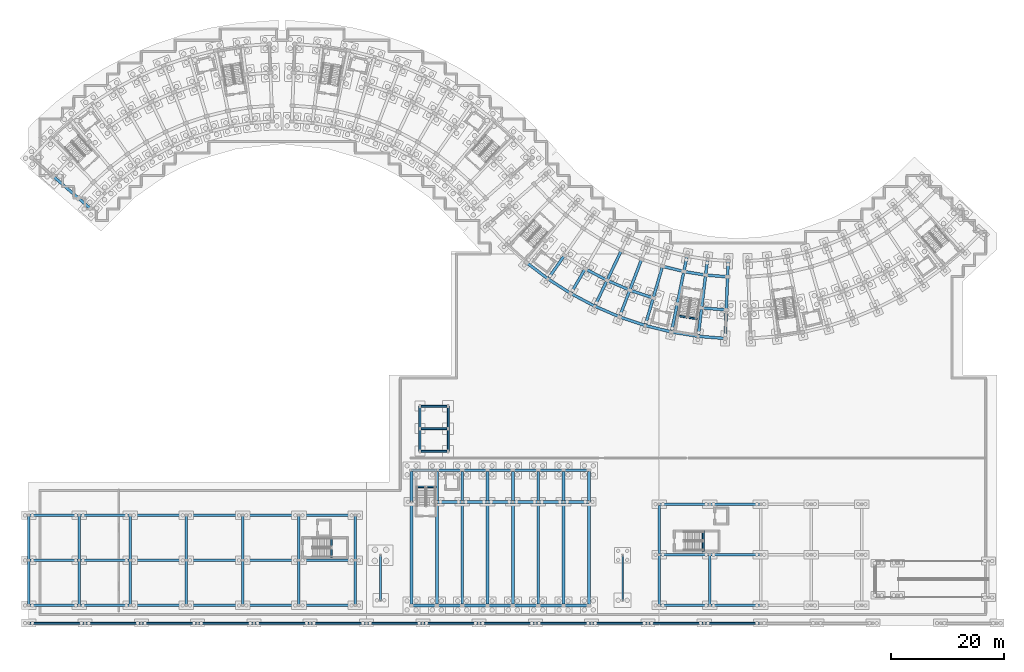
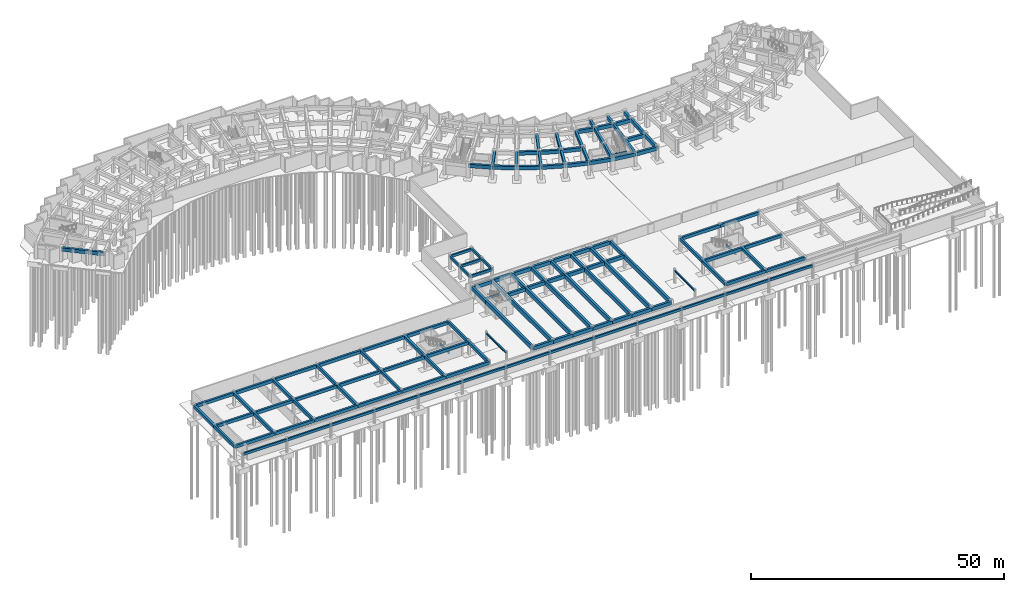
# One storey, part 11 of 32: 137 beams.
"""IFC4 building model written with IfcOpenShell, lengths in metres."""

from ifc_helpers import new_model, si_unit, direction, frame, origin, origin_2d, place, context, subcontext, project, spatial, rectangle, i_section, extrude, material, material_profile, profile_set, type_object, element, save


model = new_model("IFC4")

# Units and contexts
model_context = context("Model", 3, precision=1e-05, world=origin(), true_north=direction((0.0, 1.0)))
body_context = subcontext(model_context, "Body", "Model", "MODEL_VIEW")
ifc_project = project(units=[si_unit("LENGTHUNIT", "METRE"), si_unit("AREAUNIT", "SQUARE_METRE"), si_unit("VOLUMEUNIT", "CUBIC_METRE"), si_unit("PLANEANGLEUNIT", "RADIAN"), si_unit("MASSUNIT", "GRAM", prefix="KILO")], contexts=[model_context])

# Site, building, storey
site_placement = place(None, origin())
site = spatial("IfcSite", under=ifc_project, at=site_placement, CompositionType="ELEMENT")
building_placement = place(site_placement, origin())
building = spatial("IfcBuilding", under=site, at=building_placement, Name="Zimvara Arc Housing Community", CompositionType="ELEMENT")
storey_placement = place(building_placement, frame((0.0, 0.0, -3.60009765625)))
storey = spatial("IfcBuildingStorey", under=building, at=storey_placement, Name="B1", CompositionType="ELEMENT", Elevation=-3.60009765625)

# Beams
ifc_material_1 = material(Name="Concrete C40/50", Category="concrete")
ifc_material_profile_1 = material_profile(ifc_material_1, rectangle(XDim=0.300048828125, YDim=0.5, at=origin_2d()), Name="RC 300x500")
ifc_profile_set_1 = profile_set([ifc_material_profile_1], Name="Concrete C40/50")
beam_type_1 = type_object("IfcBeamType", Name="BM-RC-300x500", PredefinedType="BEAM", material=ifc_profile_set_1)
for number, where, z_axis, x_axis, name in (
    (1, (115.27587890625, 55.05712890625, 1.550048828125), (0.987080057935, -0.160227835371, 0.0), (0.160227835371, 0.987080057935, 0.0), "bm:stair_trim:ST-C2:B1:mid"),
    (2, (72.364990234375, 24.639892578125, 1.550048828125), (-1.0, 0.0, 0.0), (0.0, -1.0, 0.0), "bm:stair_trim:ST-H1:B1:mid"),
    (3, (119.81201171875, 13.2548828125, 1.550048828125), (0.0, 1.0, 0.0), (-1.0, 0.0, 0.0), "bm:stair_trim:ST-N1:B1:mid"),
    (4, (53.7900390625, 12.054931640625, 1.550048828125), (0.0, 1.0, 0.0), (-1.0, 0.0, 0.0), "bm:stair_trim:ST-S1:B1:mid"),
):
    element("IfcBeam", number, at=place(storey_placement, frame(where, z_axis=z_axis, x_axis=x_axis)), inside=storey, type_object=beam_type_1, Name=name, PredefinedType="BEAM", context=body_context, shape_type="SweptSolid", body=[
        extrude(rectangle(XDim=0.300048828125, YDim=0.5, at=origin_2d()), origin(), (0.0, 0.0, 1.0), 3.570068359375),
    ])
ifc_material_2 = material(Name="Concrete C40/50", Category="concrete")
ifc_material_profile_2 = material_profile(ifc_material_2, rectangle(XDim=0.35009765625, YDim=0.60009765625, at=origin_2d()), Name="RC 350x600")
ifc_profile_set_2 = profile_set([ifc_material_profile_2], Name="Concrete C40/50")
beam_type_2 = type_object("IfcBeamType", Name="BM-RC-350x600", PredefinedType="BEAM", material=ifc_profile_set_2)
for number, where, z_axis, x_axis, name in (
    (5, (0.0, 0.449951171875, 3.0), (1.0, 0.0, 0.0), (0.0, 1.0, 0.0), "bm:colonnade:B1:s1:0"),
    (6, (10.0, 0.449951171875, 3.0), (1.0, 0.0, 0.0), (0.0, 1.0, 0.0), "bm:colonnade:B1:s1:10"),
    (7, (20.0, 0.449951171875, 3.0), (1.0, 0.0, 0.0), (0.0, 1.0, 0.0), "bm:colonnade:B1:s1:20"),
    (8, (30.0, 0.449951171875, 3.0), (1.0, 0.0, 0.0), (0.0, 1.0, 0.0), "bm:colonnade:B1:s1:30"),
    (9, (40.0, 0.449951171875, 3.0), (1.0, 0.0, 0.0), (0.0, 1.0, 0.0), "bm:colonnade:B1:s1:40"),
    (10, (50.0, 0.449951171875, 3.0), (1.0, 0.0, 0.0), (0.0, 1.0, 0.0), "bm:colonnade:B1:s1:50"),
    (11, (60.0, 0.449951171875, 3.0), (1.0, 0.0, 0.0), (0.0, 1.0, 0.0), "bm:colonnade:B1:s1:60"),
    (12, (70.0, 0.449951171875, 3.0), (1.0, 0.0, 0.0), (0.0, 1.0, 0.0), "bm:colonnade:B1:s1:70"),
    (13, (80.0, 0.449951171875, 3.0), (1.0, 0.0, 0.0), (0.0, 1.0, 0.0), "bm:colonnade:B1:s1:80"),
    (14, (90.0, 0.449951171875, 3.0), (1.0, 0.0, 0.0), (0.0, 1.0, 0.0), "bm:colonnade:B1:s1:90"),
    (15, (100.0, 0.449951171875, 3.0), (1.0, 0.0, 0.0), (0.0, 1.0, 0.0), "bm:colonnade:B1:s1:100"),
    (16, (110.0, 0.449951171875, 3.0), (1.0, 0.0, 0.0), (0.0, 1.0, 0.0), "bm:colonnade:B1:s1:110"),
    (17, (120.0, 0.449951171875, 3.0), (1.0, 0.0, 0.0), (0.0, 1.0, 0.0), "bm:colonnade:B1:s1:120"),
):
    element("IfcBeam", number, at=place(storey_placement, frame(where, z_axis=z_axis, x_axis=x_axis)), inside=storey, type_object=beam_type_2, Name=name, PredefinedType="BEAM", context=body_context, shape_type="SweptSolid", body=[
        extrude(rectangle(XDim=0.35009765625, YDim=0.60009765625, at=origin_2d()), origin(), (0.0, 0.0, 1.0), 10.0),
    ])
for number, where, z_axis, x_axis, name in (
    (18, (69.5, 31.0, 3.0), (1.0, 0.0, 0.0), (0.0, 1.0, 0.0), "bm:lintel:B1:1"),
    (19, (69.5, 35.0, 3.0), (1.0, 0.0, 0.0), (0.0, 1.0, 0.0), "bm:lintel:B1:2"),
    (20, (69.5, 39.0, 3.0), (1.0, 0.0, 0.0), (0.0, 1.0, 0.0), "bm:lintel:B1:3"),
):
    element("IfcBeam", number, at=place(storey_placement, frame(where, z_axis=z_axis, x_axis=x_axis)), inside=storey, type_object=beam_type_2, Name=name, PredefinedType="BEAM", context=body_context, shape_type="SweptSolid", body=[
        extrude(rectangle(XDim=0.35009765625, YDim=0.60009765625, at=origin_2d()), origin(), (0.0, 0.0, 1.0), 5.0),
    ])
for number, where, z_axis, x_axis, name in (
    (21, (69.5, 31.0, 3.0), (0.0, 1.0, 0.0), (-1.0, 0.0, 0.0), "bm:lintel:B1:4"),
    (22, (69.5, 35.0, 3.0), (0.0, 1.0, 0.0), (-1.0, 0.0, 0.0), "bm:lintel:B1:5"),
    (23, (74.5, 31.0, 3.0), (0.0, 1.0, 0.0), (-1.0, 0.0, 0.0), "bm:lintel:B1:6"),
    (24, (74.5, 35.0, 3.0), (0.0, 1.0, 0.0), (-1.0, 0.0, 0.0), "bm:lintel:B1:7"),
):
    element("IfcBeam", number, at=place(storey_placement, frame(where, z_axis=z_axis, x_axis=x_axis)), inside=storey, type_object=beam_type_2, Name=name, PredefinedType="BEAM", context=body_context, shape_type="SweptSolid", body=[
        extrude(rectangle(XDim=0.35009765625, YDim=0.60009765625, at=origin_2d()), origin(), (0.0, 0.0, 1.0), 4.0),
    ])
ifc_material_3 = material(Name="Concrete C40/50", Category="concrete")
ifc_material_profile_3 = material_profile(ifc_material_3, rectangle(XDim=0.449951171875, YDim=0.75, at=origin_2d()), Name="RC 450x750")
ifc_profile_set_3 = profile_set([ifc_material_profile_3], Name="Concrete C40/50")
beam_type_3 = type_object("IfcBeamType", Name="BM-RC-450x750", PredefinedType="BEAM", material=ifc_profile_set_3)
for number, where, z_axis, x_axis, name in (
    (25, (112.0, 3.60009765625, 2.925048828125), (1.0, 0.0, 0.0), (0.0, 1.0, 0.0), "bm:nursery:B1:x:y0:b0"),
    (26, (121.0, 3.60009765625, 2.925048828125), (1.0, 0.0, 0.0), (0.0, 1.0, 0.0), "bm:nursery:B1:x:y0:b1"),
    (27, (112.0, 12.60009765625, 2.925048828125), (1.0, 0.0, 0.0), (0.0, 1.0, 0.0), "bm:nursery:B1:x:y1:b0"),
    (28, (121.0, 12.60009765625, 2.925048828125), (1.0, 0.0, 0.0), (0.0, 1.0, 0.0), "bm:nursery:B1:x:y1:b1"),
    (29, (112.0, 21.60009765625, 2.925048828125), (1.0, 0.0, 0.0), (0.0, 1.0, 0.0), "bm:nursery:B1:x:y2:b0"),
    (30, (121.0, 21.60009765625, 2.925048828125), (1.0, 0.0, 0.0), (0.0, 1.0, 0.0), "bm:nursery:B1:x:y2:b1"),
    (31, (112.0, 3.60009765625, 2.925048828125), (0.0, 1.0, 0.0), (-1.0, 0.0, 0.0), "bm:nursery:B1:y:x0:b0"),
    (32, (112.0, 12.60009765625, 2.925048828125), (0.0, 1.0, 0.0), (-1.0, 0.0, 0.0), "bm:nursery:B1:y:x0:b1"),
    (33, (121.0, 3.60009765625, 2.925048828125), (0.0, 1.0, 0.0), (-1.0, 0.0, 0.0), "bm:nursery:B1:y:x1:b0"),
    (34, (0.0, 3.60009765625, 2.925048828125), (1.0, 0.0, 0.0), (0.0, 1.0, 0.0), "bm:shops:B1:x:y0:b0"),
    (35, (9.0, 3.60009765625, 2.925048828125), (1.0, 0.0, 0.0), (0.0, 1.0, 0.0), "bm:shops:B1:x:y0:b1"),
):
    element("IfcBeam", number, at=place(storey_placement, frame(where, z_axis=z_axis, x_axis=x_axis)), inside=storey, type_object=beam_type_3, Name=name, PredefinedType="BEAM", context=body_context, shape_type="SweptSolid", body=[
        extrude(rectangle(XDim=0.449951171875, YDim=0.75, at=origin_2d()), origin(), (0.0, 0.0, 1.0), 9.0),
    ])
for number, where, z_axis, x_axis, name in (
    (36, (18.0, 3.60009765625, 2.925048828125), (1.0, 0.0, 0.0), (0.0, 1.0, 0.0), "bm:shops:B1:x:y0:b2"),
    (37, (28.0, 3.60009765625, 2.925048828125), (1.0, 0.0, 0.0), (0.0, 1.0, 0.0), "bm:shops:B1:x:y0:b3"),
    (38, (38.0, 3.60009765625, 2.925048828125), (1.0, 0.0, 0.0), (0.0, 1.0, 0.0), "bm:shops:B1:x:y0:b4"),
    (39, (48.0, 3.60009765625, 2.925048828125), (1.0, 0.0, 0.0), (0.0, 1.0, 0.0), "bm:shops:B1:x:y0:b5"),
):
    element("IfcBeam", number, at=place(storey_placement, frame(where, z_axis=z_axis, x_axis=x_axis)), inside=storey, type_object=beam_type_3, Name=name, PredefinedType="BEAM", context=body_context, shape_type="SweptSolid", body=[
        extrude(rectangle(XDim=0.449951171875, YDim=0.75, at=origin_2d()), origin(), (0.0, 0.0, 1.0), 10.0),
    ])
for number, where, z_axis, x_axis, name in (
    (40, (0.0, 11.60009765625, 2.925048828125), (1.0, 0.0, 0.0), (0.0, 1.0, 0.0), "bm:shops:B1:x:y1:b0"),
    (41, (9.0, 11.60009765625, 2.925048828125), (1.0, 0.0, 0.0), (0.0, 1.0, 0.0), "bm:shops:B1:x:y1:b1"),
):
    element("IfcBeam", number, at=place(storey_placement, frame(where, z_axis=z_axis, x_axis=x_axis)), inside=storey, type_object=beam_type_3, Name=name, PredefinedType="BEAM", context=body_context, shape_type="SweptSolid", body=[
        extrude(rectangle(XDim=0.449951171875, YDim=0.75, at=origin_2d()), origin(), (0.0, 0.0, 1.0), 9.0),
    ])
for number, where, z_axis, x_axis, name in (
    (42, (18.0, 11.60009765625, 2.925048828125), (1.0, 0.0, 0.0), (0.0, 1.0, 0.0), "bm:shops:B1:x:y1:b2"),
    (43, (28.0, 11.60009765625, 2.925048828125), (1.0, 0.0, 0.0), (0.0, 1.0, 0.0), "bm:shops:B1:x:y1:b3"),
    (44, (38.0, 11.60009765625, 2.925048828125), (1.0, 0.0, 0.0), (0.0, 1.0, 0.0), "bm:shops:B1:x:y1:b4"),
    (45, (48.0, 11.60009765625, 2.925048828125), (1.0, 0.0, 0.0), (0.0, 1.0, 0.0), "bm:shops:B1:x:y1:b5"),
):
    element("IfcBeam", number, at=place(storey_placement, frame(where, z_axis=z_axis, x_axis=x_axis)), inside=storey, type_object=beam_type_3, Name=name, PredefinedType="BEAM", context=body_context, shape_type="SweptSolid", body=[
        extrude(rectangle(XDim=0.449951171875, YDim=0.75, at=origin_2d()), origin(), (0.0, 0.0, 1.0), 10.0),
    ])
for number, where, z_axis, x_axis, name in (
    (46, (0.0, 19.60009765625, 2.925048828125), (1.0, 0.0, 0.0), (0.0, 1.0, 0.0), "bm:shops:B1:x:y2:b0"),
    (47, (9.0, 19.60009765625, 2.925048828125), (1.0, 0.0, 0.0), (0.0, 1.0, 0.0), "bm:shops:B1:x:y2:b1"),
):
    element("IfcBeam", number, at=place(storey_placement, frame(where, z_axis=z_axis, x_axis=x_axis)), inside=storey, type_object=beam_type_3, Name=name, PredefinedType="BEAM", context=body_context, shape_type="SweptSolid", body=[
        extrude(rectangle(XDim=0.449951171875, YDim=0.75, at=origin_2d()), origin(), (0.0, 0.0, 1.0), 9.0),
    ])
for number, where, z_axis, x_axis, name in (
    (48, (18.0, 19.60009765625, 2.925048828125), (1.0, 0.0, 0.0), (0.0, 1.0, 0.0), "bm:shops:B1:x:y2:b2"),
    (49, (28.0, 19.60009765625, 2.925048828125), (1.0, 0.0, 0.0), (0.0, 1.0, 0.0), "bm:shops:B1:x:y2:b3"),
    (50, (38.0, 19.60009765625, 2.925048828125), (1.0, 0.0, 0.0), (0.0, 1.0, 0.0), "bm:shops:B1:x:y2:b4"),
    (51, (48.0, 19.60009765625, 2.925048828125), (1.0, 0.0, 0.0), (0.0, 1.0, 0.0), "bm:shops:B1:x:y2:b5"),
):
    element("IfcBeam", number, at=place(storey_placement, frame(where, z_axis=z_axis, x_axis=x_axis)), inside=storey, type_object=beam_type_3, Name=name, PredefinedType="BEAM", context=body_context, shape_type="SweptSolid", body=[
        extrude(rectangle(XDim=0.449951171875, YDim=0.75, at=origin_2d()), origin(), (0.0, 0.0, 1.0), 10.0),
    ])
for number, where, z_axis, x_axis, name in (
    (52, (0.0, 3.60009765625, 2.925048828125), (0.0, 1.0, 0.0), (-1.0, 0.0, 0.0), "bm:shops:B1:y:x0:b0"),
    (53, (0.0, 11.60009765625, 2.925048828125), (0.0, 1.0, 0.0), (-1.0, 0.0, 0.0), "bm:shops:B1:y:x0:b1"),
    (54, (9.0, 3.60009765625, 2.925048828125), (0.0, 1.0, 0.0), (-1.0, 0.0, 0.0), "bm:shops:B1:y:x1:b0"),
    (55, (9.0, 11.60009765625, 2.925048828125), (0.0, 1.0, 0.0), (-1.0, 0.0, 0.0), "bm:shops:B1:y:x1:b1"),
    (56, (18.0, 3.60009765625, 2.925048828125), (0.0, 1.0, 0.0), (-1.0, 0.0, 0.0), "bm:shops:B1:y:x2:b0"),
    (57, (18.0, 11.60009765625, 2.925048828125), (0.0, 1.0, 0.0), (-1.0, 0.0, 0.0), "bm:shops:B1:y:x2:b1"),
    (58, (28.0, 3.60009765625, 2.925048828125), (0.0, 1.0, 0.0), (-1.0, 0.0, 0.0), "bm:shops:B1:y:x3:b0"),
    (59, (28.0, 11.60009765625, 2.925048828125), (0.0, 1.0, 0.0), (-1.0, 0.0, 0.0), "bm:shops:B1:y:x3:b1"),
    (60, (38.0, 3.60009765625, 2.925048828125), (0.0, 1.0, 0.0), (-1.0, 0.0, 0.0), "bm:shops:B1:y:x4:b0"),
    (61, (38.0, 11.60009765625, 2.925048828125), (0.0, 1.0, 0.0), (-1.0, 0.0, 0.0), "bm:shops:B1:y:x4:b1"),
    (62, (48.0, 3.60009765625, 2.925048828125), (0.0, 1.0, 0.0), (-1.0, 0.0, 0.0), "bm:shops:B1:y:x5:b0"),
    (63, (48.0, 11.60009765625, 2.925048828125), (0.0, 1.0, 0.0), (-1.0, 0.0, 0.0), "bm:shops:B1:y:x5:b1"),
    (64, (58.0, 3.60009765625, 2.925048828125), (0.0, 1.0, 0.0), (-1.0, 0.0, 0.0), "bm:shops:B1:y:x6:b0"),
    (65, (58.0, 11.60009765625, 2.925048828125), (0.0, 1.0, 0.0), (-1.0, 0.0, 0.0), "bm:shops:B1:y:x6:b1"),
):
    element("IfcBeam", number, at=place(storey_placement, frame(where, z_axis=z_axis, x_axis=x_axis)), inside=storey, type_object=beam_type_3, Name=name, PredefinedType="BEAM", context=body_context, shape_type="SweptSolid", body=[
        extrude(rectangle(XDim=0.449951171875, YDim=0.75, at=origin_2d()), origin(), (0.0, 0.0, 1.0), 8.0),
    ])
ifc_material_4 = material(Name="Concrete C40/50", Category="concrete")
ifc_material_profile_4 = material_profile(ifc_material_4, rectangle(XDim=0.5, YDim=1.0, at=origin_2d()), Name="RC 500x1000")
ifc_profile_set_4 = profile_set([ifc_material_profile_4], Name="Concrete C40/50")
beam_type_4 = type_object("IfcBeamType", Name="BM-RC-500x1000", PredefinedType="BEAM", material=ifc_profile_set_4)
for number, where, z_axis, x_axis, name in (
    (66, (68.0, 3.60009765625, 2.875), (0.0, 1.0, 0.0), (-1.0, 0.0, 0.0), "bm:hall:B1:trans1:x0"),
    (67, (72.5, 3.60009765625, 2.875), (0.0, 1.0, 0.0), (-1.0, 0.0, 0.0), "bm:hall:B1:trans1:x1"),
    (68, (77.0, 3.60009765625, 2.875), (0.0, 1.0, 0.0), (-1.0, 0.0, 0.0), "bm:hall:B1:trans1:x2"),
    (69, (81.5, 3.60009765625, 2.875), (0.0, 1.0, 0.0), (-1.0, 0.0, 0.0), "bm:hall:B1:trans1:x3"),
    (70, (86.0, 3.60009765625, 2.875), (0.0, 1.0, 0.0), (-1.0, 0.0, 0.0), "bm:hall:B1:trans1:x4"),
    (71, (90.5, 3.60009765625, 2.875), (0.0, 1.0, 0.0), (-1.0, 0.0, 0.0), "bm:hall:B1:trans1:x5"),
    (72, (95.0, 3.60009765625, 2.875), (0.0, 1.0, 0.0), (-1.0, 0.0, 0.0), "bm:hall:B1:trans1:x6"),
    (73, (99.5, 3.60009765625, 2.875), (0.0, 1.0, 0.0), (-1.0, 0.0, 0.0), "bm:hall:B1:trans1:x7"),
):
    element("IfcBeam", number, at=place(storey_placement, frame(where, z_axis=z_axis, x_axis=x_axis)), inside=storey, type_object=beam_type_4, Name=name, PredefinedType="BEAM", context=body_context, shape_type="SweptSolid", body=[
        extrude(rectangle(XDim=0.5, YDim=1.0, at=origin_2d()), origin(), (0.0, 0.0, 1.0), 18.39990234375),
    ])
ifc_material_5 = material(Name="Concrete C40/50", Category="concrete")
ifc_material_profile_5 = material_profile(ifc_material_5, rectangle(XDim=0.5, YDim=0.85009765625, at=origin_2d()), Name="RC 500x850")
ifc_profile_set_5 = profile_set([ifc_material_profile_5], Name="Concrete C40/50")
beam_type_5 = type_object("IfcBeamType", Name="BM-RC-500x850", PredefinedType="BEAM", material=ifc_profile_set_5)
beam_1_placement = place(storey_placement, frame((10.947509765625, 74.101318359375, 2.875), z_axis=(-0.754733151583, 0.656031912259, 0.0), x_axis=(-0.656031912259, -0.754733151583, 0.0)))
element("IfcBeam", 74, at=beam_1_placement, inside=storey, type_object=beam_type_5, Name="bm:blkA:B1:rad:b0:r01", PredefinedType="BEAM", context=body_context, shape_type="SweptSolid", body=[
    extrude(rectangle(XDim=0.5, YDim=0.85009765625, at=origin_2d()), origin(), (0.0, 0.0, 1.0), 2.800048828125),
])
beam_2_placement = place(storey_placement, frame((8.834228515625, 75.938232421875, 2.875), z_axis=(-0.754692223258, 0.656078995362, 0.0), x_axis=(-0.656078995362, -0.754692223258, 0.0)))
element("IfcBeam", 75, at=beam_2_placement, inside=storey, type_object=beam_type_5, Name="bm:blkA:B1:rad:b0:r12", PredefinedType="BEAM", context=body_context, shape_type="SweptSolid", body=[
    extrude(rectangle(XDim=0.5, YDim=0.85009765625, at=origin_2d()), origin(), (0.0, 0.0, 1.0), 5.8798828125),
])
for number, where, z_axis, x_axis, name in (
    (76, (112.57861328125, 63.85205078125, 2.875), (0.970723220586, -0.240200809773, 0.0), (0.240200809773, 0.970723220586, 0.0), "bm:blkC:B1:chord:r1:b7"),
    (77, (116.377197265625, 62.912109375, 2.875), (0.987081487371, -0.160219029111, 0.0), (0.160219029111, 0.987081487371, 0.0), "bm:blkC:B1:chord:r1:b8"),
):
    element("IfcBeam", number, at=place(storey_placement, frame(where, z_axis=z_axis, x_axis=x_axis)), inside=storey, type_object=beam_type_5, Name=name, PredefinedType="BEAM", context=body_context, shape_type="SweptSolid", body=[
        extrude(rectangle(XDim=0.5, YDim=0.85009765625, at=origin_2d()), origin(), (0.0, 0.0, 1.0), 3.9130859375),
    ])
beam_3_placement = place(storey_placement, frame((120.23974609375, 62.28515625, 2.875), z_axis=(0.99686054795, -0.079177319606, 0.0), x_axis=(0.079177319606, 0.99686054795, 0.0)))
element("IfcBeam", 78, at=beam_3_placement, inside=storey, type_object=beam_type_5, Name="bm:blkC:B1:chord:r1:b9", PredefinedType="BEAM", context=body_context, shape_type="SweptSolid", body=[
    extrude(rectangle(XDim=0.5, YDim=0.85009765625, at=origin_2d()), origin(), (0.0, 0.0, 1.0), 3.912841796875),
])
beam_4_placement = place(storey_placement, frame((98.8525390625, 63.39990234375, 2.875), z_axis=(0.883433524437, -0.468556515162, 0.0), x_axis=(0.468556515162, 0.883433524437, 0.0)))
element("IfcBeam", 79, at=beam_4_placement, inside=storey, type_object=beam_type_5, Name="bm:blkC:B1:chord:r2:b4", PredefinedType="BEAM", context=body_context, shape_type="SweptSolid", body=[
    extrude(rectangle(XDim=0.5, YDim=0.85009765625, at=origin_2d()), origin(), (0.0, 0.0, 1.0), 4.3935546875),
])
for number, where, z_axis, x_axis, name in (
    (80, (102.73388671875, 61.34130859375, 2.875), (0.918724840088, -0.394898301093, 0.0), (0.394898301093, 0.918724840088, 0.0), "bm:blkC:B1:chord:r2:b5"),
    (81, (106.77001953125, 59.6064453125, 2.875), (0.947891222174, -0.318594147665, 0.0), (0.318594147665, 0.947891222174, 0.0), "bm:blkC:B1:chord:r2:b6"),
    (82, (119.535400390625, 56.447509765625, 2.875), (0.996859476344, -0.079190810224, 0.0), (0.079190810224, 0.996859476344, 0.0), "bm:blkC:B1:chord:r2:b9"),
):
    element("IfcBeam", number, at=place(storey_placement, frame(where, z_axis=z_axis, x_axis=x_axis)), inside=storey, type_object=beam_type_5, Name=name, PredefinedType="BEAM", context=body_context, shape_type="SweptSolid", body=[
        extrude(rectangle(XDim=0.5, YDim=0.85009765625, at=origin_2d()), origin(), (0.0, 0.0, 1.0), 4.393310546875),
    ])
for number, where, z_axis, x_axis, name in (
    (83, (88.416748046875, 64.518310546875, 2.875), (0.795480673672, -0.605978958228, 0.0), (0.605978958228, 0.795480673672, 0.0), "bm:blkC:B1:chord:r3:b2"),
    (84, (92.241455078125, 61.604736328125, 2.875), (0.842278777856, -0.539042169383, 0.0), (0.539042169383, 0.842278777856, 0.0), "bm:blkC:B1:chord:r3:b3"),
    (85, (96.291259765625, 59.012939453125, 2.875), (0.883424523434, -0.468573485587, 0.0), (0.468573485587, 0.883424523434, 0.0), "bm:blkC:B1:chord:r3:b4"),
    (86, (100.538818359375, 56.760009765625, 2.875), (0.918724276228, -0.394899612901, 0.0), (0.394899612901, 0.918724276228, 0.0), "bm:blkC:B1:chord:r3:b5"),
):
    element("IfcBeam", number, at=place(storey_placement, frame(where, z_axis=z_axis, x_axis=x_axis)), inside=storey, type_object=beam_type_5, Name=name, PredefinedType="BEAM", context=body_context, shape_type="SweptSolid", body=[
        extrude(rectangle(XDim=0.5, YDim=0.85009765625, at=origin_2d()), origin(), (0.0, 0.0, 1.0), 4.80810546875),
    ])
beam_5_placement = place(storey_placement, frame((104.9560546875, 54.861328125, 2.875), z_axis=(0.947877948153, -0.31863363822, 0.0), x_axis=(0.31863363822, 0.947877948153, 0.0)))
element("IfcBeam", 87, at=beam_5_placement, inside=storey, type_object=beam_type_5, Name="bm:blkC:B1:chord:r3:b6", PredefinedType="BEAM", context=body_context, shape_type="SweptSolid", body=[
    extrude(rectangle(XDim=0.5, YDim=0.85009765625, at=origin_2d()), origin(), (0.0, 0.0, 1.0), 4.807861328125),
])
beam_6_placement = place(storey_placement, frame((109.513427734375, 53.329345703125, 2.875), z_axis=(0.970719165502, -0.240217196986, 0.0), x_axis=(0.240217196986, 0.970719165502, 0.0)))
element("IfcBeam", 88, at=beam_6_placement, inside=storey, type_object=beam_type_5, Name="bm:blkC:B1:chord:r3:b7", PredefinedType="BEAM", context=body_context, shape_type="SweptSolid", body=[
    extrude(rectangle(XDim=0.5, YDim=0.85009765625, at=origin_2d()), origin(), (0.0, 0.0, 1.0), 4.808349609375),
])
beam_7_placement = place(storey_placement, frame((114.180908203125, 52.17431640625, 2.875), z_axis=(0.987083566885, -0.160206217065, 0.0), x_axis=(0.160206217065, 0.987083566885, 0.0)))
element("IfcBeam", 89, at=beam_7_placement, inside=storey, type_object=beam_type_5, Name="bm:blkC:B1:chord:r3:b8", PredefinedType="BEAM", context=body_context, shape_type="SweptSolid", body=[
    extrude(rectangle(XDim=0.5, YDim=0.85009765625, at=origin_2d()), origin(), (0.0, 0.0, 1.0), 4.807861328125),
])
beam_8_placement = place(storey_placement, frame((118.9267578125, 51.404052734375, 2.875), z_axis=(0.996861768207, -0.0791619548, 0.0), x_axis=(0.0791619548, 0.996861768207, 0.0)))
element("IfcBeam", 90, at=beam_8_placement, inside=storey, type_object=beam_type_5, Name="bm:blkC:B1:chord:r3:b9", PredefinedType="BEAM", context=body_context, shape_type="SweptSolid", body=[
    extrude(rectangle(XDim=0.5, YDim=0.85009765625, at=origin_2d()), origin(), (0.0, 0.0, 1.0), 4.80810546875),
])
beam_9_placement = place(storey_placement, frame((95.15234375, 65.76806640625, 2.875), z_axis=(-0.573007469479, -0.819550144848, 0.0), x_axis=(0.819550144848, -0.573007469479, 0.0)))
element("IfcBeam", 91, at=beam_9_placement, inside=storey, type_object=beam_type_5, Name="bm:blkC:B1:rad:b3:r23", PredefinedType="BEAM", context=body_context, shape_type="SweptSolid", body=[
    extrude(rectangle(XDim=0.5, YDim=0.85009765625, at=origin_2d()), origin(), (0.0, 0.0, 1.0), 5.080078125),
])
beam_10_placement = place(storey_placement, frame((98.8525390625, 63.39990234375, 2.875), z_axis=(-0.504196701544, -0.863588840915, 0.0), x_axis=(0.863588840915, -0.504196701544, 0.0)))
element("IfcBeam", 92, at=beam_10_placement, inside=storey, type_object=beam_type_5, Name="bm:blkC:B1:rad:b4:r23", PredefinedType="BEAM", context=body_context, shape_type="SweptSolid", body=[
    extrude(rectangle(XDim=0.5, YDim=0.85009765625, at=origin_2d()), origin(), (0.0, 0.0, 1.0), 5.079833984375),
])
beam_11_placement = place(storey_placement, frame((105.2744140625, 66.644287109375, 2.875), z_axis=(-0.432053349188, -0.901848048983, 0.0), x_axis=(0.901848048983, -0.432053349188, 0.0)))
element("IfcBeam", 93, at=beam_11_placement, inside=storey, type_object=beam_type_5, Name="bm:blkC:B1:rad:b5:r12", PredefinedType="BEAM", context=body_context, shape_type="SweptSolid", body=[
    extrude(rectangle(XDim=0.5, YDim=0.85009765625, at=origin_2d()), origin(), (0.0, 0.0, 1.0), 5.880126953125),
])
beam_12_placement = place(storey_placement, frame((102.73388671875, 61.34130859375, 2.875), z_axis=(-0.432098194978, -0.901826563091, 0.0), x_axis=(0.901826563091, -0.432098194978, 0.0)))
element("IfcBeam", 94, at=beam_12_placement, inside=storey, type_object=beam_type_5, Name="bm:blkC:B1:rad:b5:r23", PredefinedType="BEAM", context=body_context, shape_type="SweptSolid", body=[
    extrude(rectangle(XDim=0.5, YDim=0.85009765625, at=origin_2d()), origin(), (0.0, 0.0, 1.0), 5.080078125),
])
beam_13_placement = place(storey_placement, frame((108.869384765625, 65.098876953125, 2.875), z_axis=(-0.357036247742, -0.934090529766, 0.0), x_axis=(0.934090529766, -0.357036247742, 0.0)))
element("IfcBeam", 95, at=beam_13_placement, inside=storey, type_object=beam_type_5, Name="bm:blkC:B1:rad:b6:r12", PredefinedType="BEAM", context=body_context, shape_type="SweptSolid", body=[
    extrude(rectangle(XDim=0.5, YDim=0.85009765625, at=origin_2d()), origin(), (0.0, 0.0, 1.0), 5.8798828125),
])
beam_14_placement = place(storey_placement, frame((106.77001953125, 59.6064453125, 2.875), z_axis=(-0.357078271386, -0.934074466038, 0.0), x_axis=(0.934074466038, -0.357078271386, 0.0)))
element("IfcBeam", 96, at=beam_14_placement, inside=storey, type_object=beam_type_5, Name="bm:blkC:B1:rad:b6:r23", PredefinedType="BEAM", context=body_context, shape_type="SweptSolid", body=[
    extrude(rectangle(XDim=0.5, YDim=0.85009765625, at=origin_2d()), origin(), (0.0, 0.0, 1.0), 5.080078125),
])
beam_15_placement = place(storey_placement, frame((112.57861328125, 63.85205078125, 2.875), z_axis=(-0.27964761269, -0.960102709462, 0.0), x_axis=(0.960102709462, -0.27964761269, 0.0)))
element("IfcBeam", 97, at=beam_15_placement, inside=storey, type_object=beam_type_5, Name="bm:blkC:B1:rad:b7:r12", PredefinedType="BEAM", context=body_context, shape_type="SweptSolid", body=[
    extrude(rectangle(XDim=0.5, YDim=0.85009765625, at=origin_2d()), origin(), (0.0, 0.0, 1.0), 5.8798828125),
])
beam_16_placement = place(storey_placement, frame((110.934326171875, 58.206787109375, 2.875), z_axis=(-0.279693649113, -0.960089299308, 0.0), x_axis=(0.960089299308, -0.279693649113, 0.0)))
element("IfcBeam", 98, at=beam_16_placement, inside=storey, type_object=beam_type_5, Name="bm:blkC:B1:rad:b7:r23", PredefinedType="BEAM", context=body_context, shape_type="SweptSolid", body=[
    extrude(rectangle(XDim=0.5, YDim=0.85009765625, at=origin_2d()), origin(), (0.0, 0.0, 1.0), 5.080078125),
])
beam_17_placement = place(storey_placement, frame((116.938232421875, 65.6552734375, 2.875), z_axis=(-0.20037341071, -0.979719600845, 0.0), x_axis=(0.979719600845, -0.20037341071, 0.0)))
element("IfcBeam", 99, at=beam_17_placement, inside=storey, type_object=beam_type_5, Name="bm:blkC:B1:rad:b8:r01", PredefinedType="BEAM", context=body_context, shape_type="SweptSolid", body=[
    extrude(rectangle(XDim=0.5, YDim=0.85009765625, at=origin_2d()), origin(), (0.0, 0.0, 1.0), 2.800048828125),
])
beam_18_placement = place(storey_placement, frame((116.377197265625, 62.912109375, 2.875), z_axis=(-0.200417973989, -0.979710485655, 0.0), x_axis=(0.979710485655, -0.200417973989, 0.0)))
element("IfcBeam", 100, at=beam_18_placement, inside=storey, type_object=beam_type_5, Name="bm:blkC:B1:rad:b8:r12", PredefinedType="BEAM", context=body_context, shape_type="SweptSolid", body=[
    extrude(rectangle(XDim=0.5, YDim=0.85009765625, at=origin_2d()), origin(), (0.0, 0.0, 1.0), 5.880126953125),
])
beam_19_placement = place(storey_placement, frame((115.19873046875, 57.1513671875, 2.875), z_axis=(-0.200356397601, -0.979723080233, 0.0), x_axis=(0.979723080233, -0.200356397601, 0.0)))
element("IfcBeam", 101, at=beam_19_placement, inside=storey, type_object=beam_type_5, Name="bm:blkC:B1:rad:b8:r23", PredefinedType="BEAM", context=body_context, shape_type="SweptSolid", body=[
    extrude(rectangle(XDim=0.5, YDim=0.85009765625, at=origin_2d()), origin(), (0.0, 0.0, 1.0), 5.080078125),
])
beam_20_placement = place(storey_placement, frame((120.574951171875, 65.06494140625, 2.875), z_axis=(-0.119719398078, -0.992807768767, 0.0), x_axis=(0.992807768767, -0.119719398078, 0.0)))
element("IfcBeam", 102, at=beam_20_placement, inside=storey, type_object=beam_type_5, Name="bm:blkC:B1:rad:b9:r01", PredefinedType="BEAM", context=body_context, shape_type="SweptSolid", body=[
    extrude(rectangle(XDim=0.5, YDim=0.85009765625, at=origin_2d()), origin(), (0.0, 0.0, 1.0), 2.7998046875),
])
beam_21_placement = place(storey_placement, frame((120.23974609375, 62.28515625, 2.875), z_axis=(-0.119786997154, -0.992799614884, 0.0), x_axis=(0.992799614884, -0.119786997154, 0.0)))
element("IfcBeam", 103, at=beam_21_placement, inside=storey, type_object=beam_type_5, Name="bm:blkC:B1:rad:b9:r12", PredefinedType="BEAM", context=body_context, shape_type="SweptSolid", body=[
    extrude(rectangle(XDim=0.5, YDim=0.85009765625, at=origin_2d()), origin(), (0.0, 0.0, 1.0), 5.8798828125),
])
beam_22_placement = place(storey_placement, frame((119.535400390625, 56.447509765625, 2.875), z_axis=(-0.119810359757, -0.992796795772, 0.0), x_axis=(0.992796795772, -0.119810359757, 0.0)))
element("IfcBeam", 104, at=beam_22_placement, inside=storey, type_object=beam_type_5, Name="bm:blkC:B1:rad:b9:r23", PredefinedType="BEAM", context=body_context, shape_type="SweptSolid", body=[
    extrude(rectangle(XDim=0.5, YDim=0.85009765625, at=origin_2d()), origin(), (0.0, 0.0, 1.0), 5.080078125),
])
beam_23_placement = place(storey_placement, frame((124.248046875, 64.773193359375, 2.875), z_axis=(-0.038453214409, -0.999260401648, 0.0), x_axis=(0.999260401648, -0.038453214409, 0.0)))
element("IfcBeam", 105, at=beam_23_placement, inside=storey, type_object=beam_type_5, Name="bm:blkC:B1:rad:b10:r01", PredefinedType="BEAM", context=body_context, shape_type="SweptSolid", body=[
    extrude(rectangle(XDim=0.5, YDim=0.85009765625, at=origin_2d()), origin(), (0.0, 0.0, 1.0), 2.7998046875),
])
beam_24_placement = place(storey_placement, frame((124.140380859375, 61.975341796875, 2.875), z_axis=(-0.038364555613, -0.999263809448, 0.0), x_axis=(0.999263809448, -0.038364555613, 0.0)))
element("IfcBeam", 106, at=beam_24_placement, inside=storey, type_object=beam_type_5, Name="bm:blkC:B1:rad:b10:r12", PredefinedType="BEAM", context=body_context, shape_type="SweptSolid", body=[
    extrude(rectangle(XDim=0.5, YDim=0.85009765625, at=origin_2d()), origin(), (0.0, 0.0, 1.0), 5.880126953125),
])
beam_25_placement = place(storey_placement, frame((123.914794921875, 56.099609375, 2.875), z_axis=(-0.038399898954, -0.999262451892, 0.0), x_axis=(0.999262451892, -0.038399898954, 0.0)))
element("IfcBeam", 107, at=beam_25_placement, inside=storey, type_object=beam_type_5, Name="bm:blkC:B1:rad:b10:r23", PredefinedType="BEAM", context=body_context, shape_type="SweptSolid", body=[
    extrude(rectangle(XDim=0.5, YDim=0.85009765625, at=origin_2d()), origin(), (0.0, 0.0, 1.0), 5.079833984375),
])
for number, where, z_axis, x_axis, name in (
    (108, (68.0, 3.60009765625, 2.875), (1.0, 0.0, 0.0), (0.0, 1.0, 0.0), "bm:hall:B1:long:y0:b0"),
    (109, (68.0, 27.60009765625, 2.875), (1.0, 0.0, 0.0), (0.0, 1.0, 0.0), "bm:hall:B1:long:y2:b0"),
    (110, (72.5, 3.60009765625, 2.875), (1.0, 0.0, 0.0), (0.0, 1.0, 0.0), "bm:hall:B1:long:y0:b1"),
    (111, (72.5, 22.0, 2.875), (1.0, 0.0, 0.0), (0.0, 1.0, 0.0), "bm:hall:B1:long:y1:b1"),
    (112, (72.5, 27.60009765625, 2.875), (1.0, 0.0, 0.0), (0.0, 1.0, 0.0), "bm:hall:B1:long:y2:b1"),
    (113, (77.0, 3.60009765625, 2.875), (1.0, 0.0, 0.0), (0.0, 1.0, 0.0), "bm:hall:B1:long:y0:b2"),
    (114, (77.0, 22.0, 2.875), (1.0, 0.0, 0.0), (0.0, 1.0, 0.0), "bm:hall:B1:long:y1:b2"),
    (115, (77.0, 27.60009765625, 2.875), (1.0, 0.0, 0.0), (0.0, 1.0, 0.0), "bm:hall:B1:long:y2:b2"),
    (116, (81.5, 3.60009765625, 2.875), (1.0, 0.0, 0.0), (0.0, 1.0, 0.0), "bm:hall:B1:long:y0:b3"),
    (117, (81.5, 22.0, 2.875), (1.0, 0.0, 0.0), (0.0, 1.0, 0.0), "bm:hall:B1:long:y1:b3"),
    (118, (81.5, 27.60009765625, 2.875), (1.0, 0.0, 0.0), (0.0, 1.0, 0.0), "bm:hall:B1:long:y2:b3"),
    (119, (86.0, 3.60009765625, 2.875), (1.0, 0.0, 0.0), (0.0, 1.0, 0.0), "bm:hall:B1:long:y0:b4"),
    (120, (86.0, 22.0, 2.875), (1.0, 0.0, 0.0), (0.0, 1.0, 0.0), "bm:hall:B1:long:y1:b4"),
    (121, (86.0, 27.60009765625, 2.875), (1.0, 0.0, 0.0), (0.0, 1.0, 0.0), "bm:hall:B1:long:y2:b4"),
    (122, (90.5, 3.60009765625, 2.875), (1.0, 0.0, 0.0), (0.0, 1.0, 0.0), "bm:hall:B1:long:y0:b5"),
    (123, (90.5, 22.0, 2.875), (1.0, 0.0, 0.0), (0.0, 1.0, 0.0), "bm:hall:B1:long:y1:b5"),
    (124, (90.5, 27.60009765625, 2.875), (1.0, 0.0, 0.0), (0.0, 1.0, 0.0), "bm:hall:B1:long:y2:b5"),
    (125, (95.0, 3.60009765625, 2.875), (1.0, 0.0, 0.0), (0.0, 1.0, 0.0), "bm:hall:B1:long:y0:b6"),
    (126, (95.0, 22.0, 2.875), (1.0, 0.0, 0.0), (0.0, 1.0, 0.0), "bm:hall:B1:long:y1:b6"),
    (127, (95.0, 27.60009765625, 2.875), (1.0, 0.0, 0.0), (0.0, 1.0, 0.0), "bm:hall:B1:long:y2:b6"),
):
    element("IfcBeam", number, at=place(storey_placement, frame(where, z_axis=z_axis, x_axis=x_axis)), inside=storey, type_object=beam_type_5, Name=name, PredefinedType="BEAM", context=body_context, shape_type="SweptSolid", body=[
        extrude(rectangle(XDim=0.5, YDim=0.85009765625, at=origin_2d()), origin(), (0.0, 0.0, 1.0), 4.5),
    ])
for number, where, z_axis, x_axis, name in (
    (128, (68.0, 22.0, 2.875), (0.0, 1.0, 0.0), (-1.0, 0.0, 0.0), "bm:hall:B1:trans2:x0"),
    (129, (72.5, 22.0, 2.875), (0.0, 1.0, 0.0), (-1.0, 0.0, 0.0), "bm:hall:B1:trans2:x1"),
    (130, (77.0, 22.0, 2.875), (0.0, 1.0, 0.0), (-1.0, 0.0, 0.0), "bm:hall:B1:trans2:x2"),
    (131, (81.5, 22.0, 2.875), (0.0, 1.0, 0.0), (-1.0, 0.0, 0.0), "bm:hall:B1:trans2:x3"),
    (132, (86.0, 22.0, 2.875), (0.0, 1.0, 0.0), (-1.0, 0.0, 0.0), "bm:hall:B1:trans2:x4"),
    (133, (90.5, 22.0, 2.875), (0.0, 1.0, 0.0), (-1.0, 0.0, 0.0), "bm:hall:B1:trans2:x5"),
    (134, (95.0, 22.0, 2.875), (0.0, 1.0, 0.0), (-1.0, 0.0, 0.0), "bm:hall:B1:trans2:x6"),
    (135, (99.5, 22.0, 2.875), (0.0, 1.0, 0.0), (-1.0, 0.0, 0.0), "bm:hall:B1:trans2:x7"),
):
    element("IfcBeam", number, at=place(storey_placement, frame(where, z_axis=z_axis, x_axis=x_axis)), inside=storey, type_object=beam_type_5, Name=name, PredefinedType="BEAM", context=body_context, shape_type="SweptSolid", body=[
        extrude(rectangle(XDim=0.5, YDim=0.85009765625, at=origin_2d()), origin(), (0.0, 0.0, 1.0), 5.60009765625),
    ])
ifc_material_6 = material(Name="Steel S355", Category="steel")
ifc_material_profile_6 = material_profile(ifc_material_6, i_section(OverallWidth=0.300048828125, OverallDepth=0.31005859375, WebThickness=0.009033203125, FlangeThickness=0.015380859375, FilletRadius=0.027099609375, at=origin_2d()), Name="HEA 320")
ifc_profile_set_6 = profile_set([ifc_material_profile_6], Name="Steel S355")
beam_type_6 = type_object("IfcBeamType", Name="BM-ST-HEA320", PredefinedType="BEAM", material=ifc_profile_set_6)
for number, where, z_axis, x_axis, name in (
    (136, (62.5, 4.5, 3.050048828125), (0.0, 1.0, 0.0), (-1.0, 0.0, 0.0), "bm:portal:B1:w"),
    (137, (105.5, 4.5, 3.050048828125), (0.0, 1.0, 0.0), (-1.0, 0.0, 0.0), "bm:portal:B1:e"),
):
    element("IfcBeam", number, at=place(storey_placement, frame(where, z_axis=z_axis, x_axis=x_axis)), inside=storey, type_object=beam_type_6, Name=name, PredefinedType="BEAM", context=body_context, shape_type="SweptSolid", body=[
        extrude(i_section(OverallWidth=0.300048828125, OverallDepth=0.31005859375, WebThickness=0.009033203125, FlangeThickness=0.015380859375, FilletRadius=0.027099609375, at=origin_2d()), origin(), (0.0, 0.0, 1.0), 8.0),
    ])

save(model, "model.ifc")
